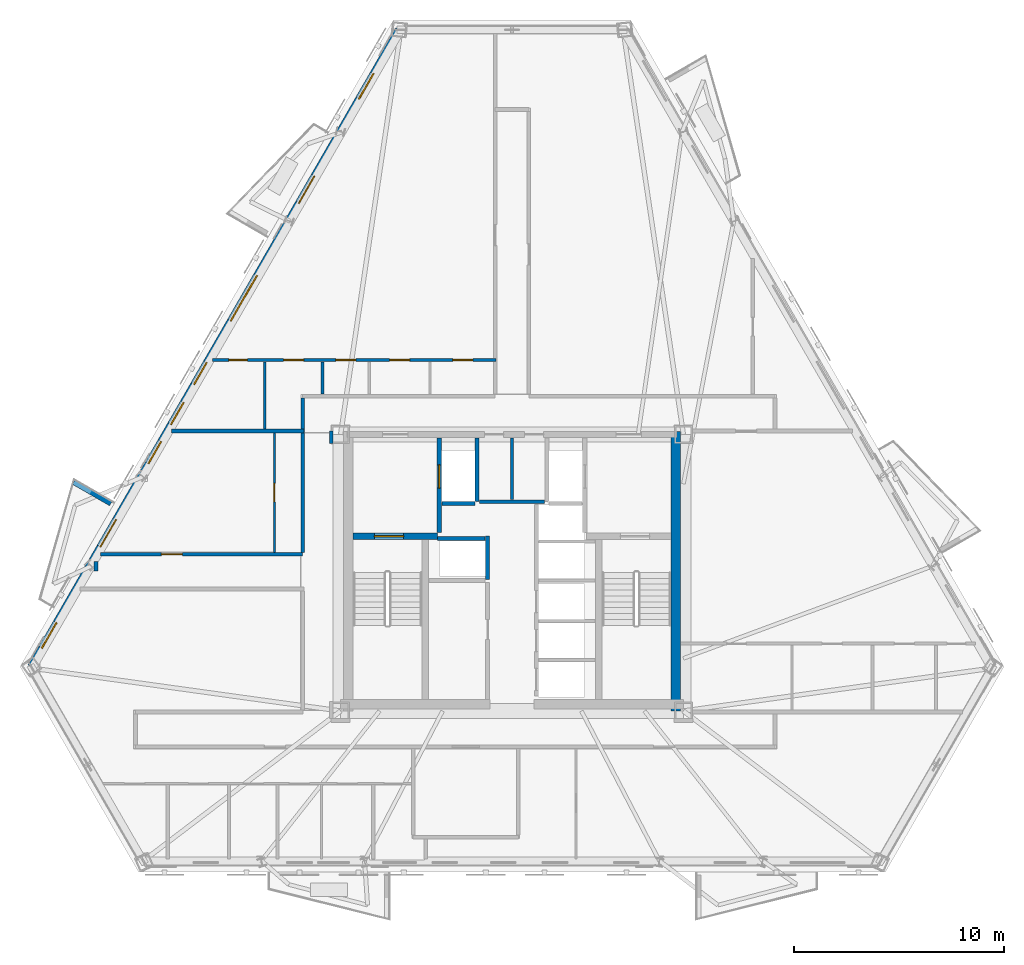
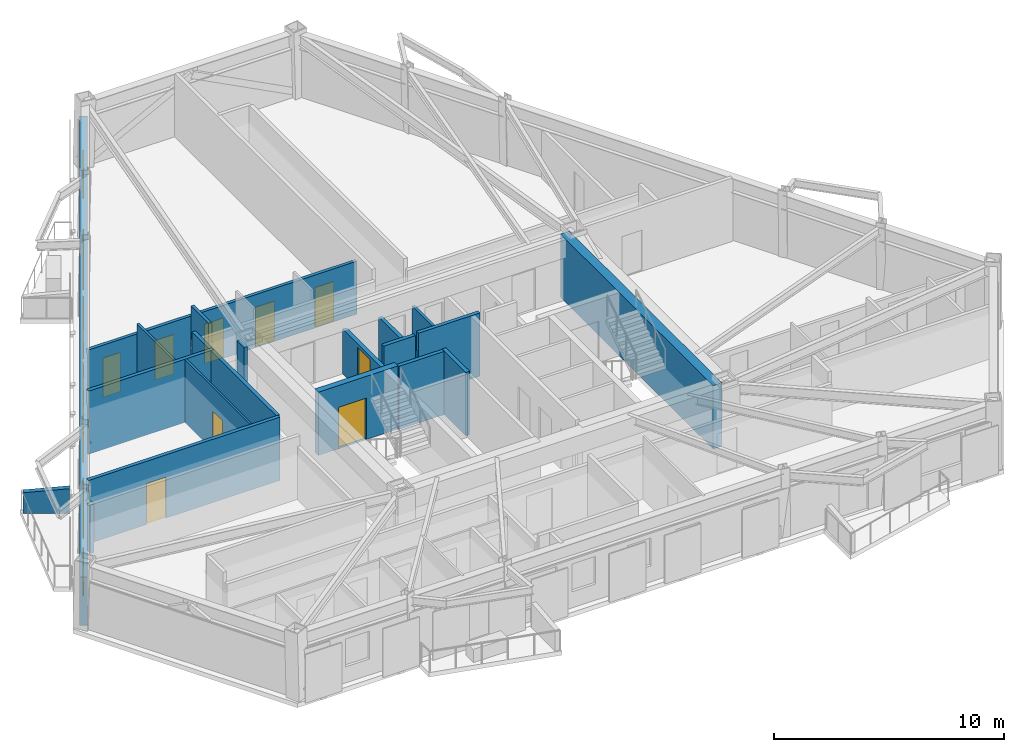
# One storey, part 4 of 9: 20 walls, 11 doors, 6 windows, 17 openings.
"""IFC4 building model written with IfcOpenShell, lengths in metres."""

from ifc_helpers import new_model, si_unit, direction, frame, frame_2d, origin, place, context, subcontext, project, spatial, polyline, rectangle, outline, extrude, material, layer, layer_set, type_object, element, fill, save


model = new_model("IFC4")

# Units and contexts
model_context = context("Model", 3, precision=1e-05, world=origin(), true_north=direction((0.0, 1.0)))
body_context = subcontext(model_context, "Body", "Model", "MODEL_VIEW")
ifc_project = project(units=[si_unit("LENGTHUNIT", "METRE"), si_unit("AREAUNIT", "SQUARE_METRE"), si_unit("VOLUMEUNIT", "CUBIC_METRE"), si_unit("PLANEANGLEUNIT", "RADIAN"), si_unit("MASSUNIT", "GRAM", prefix="KILO")], contexts=[model_context])

# Site, building, storey
site_placement = place(None, origin())
site = spatial("IfcSite", under=ifc_project, at=site_placement, CompositionType="ELEMENT")
building_placement = place(site_placement, origin())
building = spatial("IfcBuilding", under=site, at=building_placement, Name="Oramaril Tower", CompositionType="ELEMENT")
storey_placement = place(building_placement, frame((0.0, 0.0, 123.0)))
storey = spatial("IfcBuildingStorey", under=building, at=storey_placement, Name="L32", CompositionType="ELEMENT", Elevation=123.0)

# Wall, openings, doors, windows
ifc_material_1 = material(Name="Warm Cream Limestone", Category="masonry")
ifc_layer_1 = layer(ifc_material_1, 0.340087890625)
ifc_layer_set_1 = layer_set([ifc_layer_1], Name="WT-EXT34")
wall_type_1 = type_object("IfcWallType", Name="WT-EXT34", PredefinedType="SOLIDWALL", material=ifc_layer_set_1)
wall_1_placement = place(storey_placement, frame((32.124267578125, 43.39697265625, 0.0), z_axis=(0.0, 0.0, 1.0), x_axis=(-0.499996370967, -0.866027498997, 0.0)))
wall_1 = element("IfcWall", 1, at=wall_1_placement, inside=storey, type_object=wall_type_1, Name="L32 Tower Limestone Facade Wall 6M", PredefinedType="SOLIDWALL", context=body_context, shape_type="SweptSolid", body=[
    extrude(rectangle(XDim=34.975830078125, YDim=0.340087890625, at=frame_2d((17.48779296875, 0.0))), origin(), (0.0, 0.0, 1.0), 2.577880859375),
])
opening_1_placement = place(wall_1_placement, frame((8.034423828125, 0.0, 0.0)))
opening_1 = element("IfcOpeningElement", 2, at=opening_1_placement, cuts=wall_1, Name="Opening D-L32-BAL-NW1", PredefinedType="OPENING", context=body_context, shape_type="SweptSolid", body=[
    extrude(rectangle(XDim=1.5, YDim=2.199951171875, at=frame_2d((0.75, 1.10009765625))), frame((0.0, 0.169921875, 0.0), z_axis=(0.0, -1.0, 0.0), x_axis=(1.0, 0.0, 0.0)), (0.0, 0.0, 1.0), 0.340087890625),
])
opening_2_placement = place(wall_1_placement, frame((26.896240234375, 0.0, 0.0)))
opening_2 = element("IfcOpeningElement", 3, at=opening_2_placement, cuts=wall_1, Name="Opening D-L32-BAL-NW2", PredefinedType="OPENING", context=body_context, shape_type="SweptSolid", body=[
    extrude(rectangle(XDim=1.5, YDim=2.199951171875, at=frame_2d((0.75, 1.10009765625))), frame((0.0, 0.169921875, 0.0), z_axis=(0.0, -1.0, 0.0), x_axis=(1.0, 0.0, 0.0)), (0.0, 0.0, 1.0), 0.340087890625),
])
opening_3_placement = place(wall_1_placement, frame((32.5615234375, 0.0, 0.85009765625)))
opening_3 = element("IfcOpeningElement", 4, at=opening_3_placement, cuts=wall_1, Name="Opening WN-08", PredefinedType="OPENING", context=body_context, shape_type="SweptSolid", body=[
    extrude(rectangle(XDim=1.39990234375, YDim=1.60009765625, at=frame_2d((0.699951171875, 0.800048828125))), frame((0.0, 0.169921875, 0.0), z_axis=(0.0, -1.0, 0.0), x_axis=(1.0, 0.0, 0.0)), (0.0, 0.0, 1.0), 0.340087890625),
])
opening_4_placement = place(wall_1_placement, frame((22.614013671875, 0.0, 0.85009765625)))
opening_4 = element("IfcOpeningElement", 5, at=opening_4_placement, cuts=wall_1, Name="Opening WN-09", PredefinedType="OPENING", context=body_context, shape_type="SweptSolid", body=[
    extrude(rectangle(XDim=1.199951171875, YDim=1.47998046875, at=frame_2d((0.60009765625, 0.739990234375))), frame((0.0, 0.169921875, 0.0), z_axis=(0.0, -1.0, 0.0), x_axis=(1.0, 0.0, 0.0)), (0.0, 0.0, 1.0), 0.340087890625),
])
opening_5_placement = place(wall_1_placement, frame((2.415283203125, 0.0, 0.85009765625)))
opening_5 = element("IfcOpeningElement", 6, at=opening_5_placement, cuts=wall_1, Name="Opening WN-08", PredefinedType="OPENING", context=body_context, shape_type="SweptSolid", body=[
    extrude(rectangle(XDim=1.39990234375, YDim=1.60009765625, at=frame_2d((0.699951171875, 0.800048828125))), frame((0.0, 0.169921875, 0.0), z_axis=(0.0, -1.0, 0.0), x_axis=(1.0, 0.0, 0.0)), (0.0, 0.0, 1.0), 0.340087890625),
])
opening_6_placement = place(wall_1_placement, frame((13.4921875, 0.0, 0.85009765625)))
opening_6 = element("IfcOpeningElement", 7, at=opening_6_placement, cuts=wall_1, Name="Opening WN-11", PredefinedType="OPENING", context=body_context, shape_type="SweptSolid", body=[
    extrude(rectangle(XDim=2.5, YDim=1.617919921875, at=frame_2d((1.25, 0.80908203125))), frame((0.0, 0.169921875, 0.0), z_axis=(0.0, -1.0, 0.0), x_axis=(1.0, 0.0, 0.0)), (0.0, 0.0, 1.0), 0.340087890625),
])
opening_7_placement = place(wall_1_placement, frame((18.281005859375, 0.0, 0.85009765625)))
opening_7 = element("IfcOpeningElement", 8, at=opening_7_placement, cuts=wall_1, Name="Opening WN-09", PredefinedType="OPENING", context=body_context, shape_type="SweptSolid", body=[
    extrude(rectangle(XDim=1.199951171875, YDim=1.47998046875, at=frame_2d((0.60009765625, 0.739990234375))), frame((0.0, 0.169921875, 0.0), z_axis=(0.0, -1.0, 0.0), x_axis=(1.0, 0.0, 0.0)), (0.0, 0.0, 1.0), 0.340087890625),
])
opening_8_placement = place(wall_1_placement, frame((20.476318359375, 0.0, 0.85009765625)))
opening_8 = element("IfcOpeningElement", 9, at=opening_8_placement, cuts=wall_1, Name="Opening WN-09", PredefinedType="OPENING", context=body_context, shape_type="SweptSolid", body=[
    extrude(rectangle(XDim=1.199951171875, YDim=1.47998046875, at=frame_2d((0.60009765625, 0.739990234375))), frame((0.0, 0.169921875, 0.0), z_axis=(0.0, -1.0, 0.0), x_axis=(1.0, 0.0, 0.0)), (0.0, 0.0, 1.0), 0.340087890625),
])
ifc_material_2 = material(Name="Anodised Aluminium 6063-T6", Category="aluminium")
door_type_1 = type_object("IfcDoorType", Name="DT-BAL", OperationType="NOTDEFINED", PredefinedType="DOOR", material=ifc_material_2)
door_1_placement = place(opening_1_placement, origin())
door_1 = element("IfcDoor", 10, at=door_1_placement, inside=storey, type_object=door_type_1, Name="L32 Balcony Glazed Door L32-BAL-NW1", OperationType="SINGLE_SWING_LEFT", OverallHeight=2.199951171875, OverallWidth=1.5, PredefinedType="DOOR", context=body_context, shape_type="SweptSolid", body=[
    extrude(rectangle(XDim=1.5, YDim=2.199951171875, at=frame_2d((0.75, 1.10009765625))), frame((0.0, 0.02490234375, 0.0), z_axis=(0.0, -1.0, 0.0), x_axis=(1.0, 0.0, 0.0)), (0.0, 0.0, 1.0), 0.050048828125),
])
fill(opening_1, door_1)
door_2_placement = place(opening_2_placement, origin())
door_2 = element("IfcDoor", 11, at=door_2_placement, inside=storey, type_object=door_type_1, Name="L32 Balcony Glazed Door L32-BAL-NW2", OperationType="SINGLE_SWING_RIGHT", OverallHeight=2.199951171875, OverallWidth=1.5, PredefinedType="DOOR", context=body_context, shape_type="SweptSolid", body=[
    extrude(rectangle(XDim=1.5, YDim=2.199951171875, at=frame_2d((0.75, 1.10009765625))), frame((0.0, 0.02490234375, 0.0), z_axis=(0.0, -1.0, 0.0), x_axis=(1.0, 0.0, 0.0)), (0.0, 0.0, 1.0), 0.050048828125),
])
fill(opening_2, door_2)
ifc_material_3 = material(Name="Coastal Low-E Insulated Glass", Category="glass")
window_type_1 = type_object("IfcWindowType", Name="WNT-08", PartitioningType="SINGLE_PANEL", PredefinedType="WINDOW", material=ifc_material_3)
window_1_placement = place(opening_3_placement, origin())
window_1 = element("IfcWindow", 12, at=window_1_placement, inside=storey, type_object=window_type_1, Name="L32 Chicago Bay Window WN-08", OverallHeight=1.60009765625, OverallWidth=1.39990234375, PartitioningType="SINGLE_PANEL", PredefinedType="WINDOW", context=body_context, shape_type="SweptSolid", body=[
    extrude(rectangle(XDim=1.39990234375, YDim=1.60009765625, at=frame_2d((0.699951171875, 0.800048828125))), frame((0.0, 0.030029296875, 0.0), z_axis=(0.0, -1.0, 0.0), x_axis=(1.0, 0.0, 0.0)), (0.0, 0.0, 1.0), 0.06005859375),
])
fill(opening_3, window_1)
window_2_placement = place(opening_5_placement, origin())
window_2 = element("IfcWindow", 13, at=window_2_placement, inside=storey, type_object=window_type_1, Name="L32 Chicago Bay Window WN-08", OverallHeight=1.60009765625, OverallWidth=1.39990234375, PartitioningType="SINGLE_PANEL", PredefinedType="WINDOW", context=body_context, shape_type="SweptSolid", body=[
    extrude(rectangle(XDim=1.39990234375, YDim=1.60009765625, at=frame_2d((0.699951171875, 0.800048828125))), frame((0.0, 0.030029296875, 0.0), z_axis=(0.0, -1.0, 0.0), x_axis=(1.0, 0.0, 0.0)), (0.0, 0.0, 1.0), 0.06005859375),
])
fill(opening_5, window_2)
ifc_material_4 = material(Name="Coastal Low-E Insulated Glass", Category="glass")
window_type_2 = type_object("IfcWindowType", Name="WNT-09", PartitioningType="SINGLE_PANEL", PredefinedType="WINDOW", material=ifc_material_4)
window_3_placement = place(opening_4_placement, origin())
window_3 = element("IfcWindow", 14, at=window_3_placement, inside=storey, type_object=window_type_2, Name="L32 Chicago Bay Window WN-09", OverallHeight=1.47998046875, OverallWidth=1.199951171875, PartitioningType="SINGLE_PANEL", PredefinedType="WINDOW", context=body_context, shape_type="SweptSolid", body=[
    extrude(rectangle(XDim=1.199951171875, YDim=1.47998046875, at=frame_2d((0.60009765625, 0.739990234375))), frame((0.0, 0.030029296875, 0.0), z_axis=(0.0, -1.0, 0.0), x_axis=(1.0, 0.0, 0.0)), (0.0, 0.0, 1.0), 0.06005859375),
])
fill(opening_4, window_3)
window_4_placement = place(opening_7_placement, origin())
window_4 = element("IfcWindow", 15, at=window_4_placement, inside=storey, type_object=window_type_2, Name="L32 Chicago Bay Window WN-09", OverallHeight=1.47998046875, OverallWidth=1.199951171875, PartitioningType="SINGLE_PANEL", PredefinedType="WINDOW", context=body_context, shape_type="SweptSolid", body=[
    extrude(rectangle(XDim=1.199951171875, YDim=1.47998046875, at=frame_2d((0.60009765625, 0.739990234375))), frame((0.0, 0.030029296875, 0.0), z_axis=(0.0, -1.0, 0.0), x_axis=(1.0, 0.0, 0.0)), (0.0, 0.0, 1.0), 0.06005859375),
])
fill(opening_7, window_4)
window_5_placement = place(opening_8_placement, origin())
window_5 = element("IfcWindow", 16, at=window_5_placement, inside=storey, type_object=window_type_2, Name="L32 Chicago Bay Window WN-09", OverallHeight=1.47998046875, OverallWidth=1.199951171875, PartitioningType="SINGLE_PANEL", PredefinedType="WINDOW", context=body_context, shape_type="SweptSolid", body=[
    extrude(rectangle(XDim=1.199951171875, YDim=1.47998046875, at=frame_2d((0.60009765625, 0.739990234375))), frame((0.0, 0.030029296875, 0.0), z_axis=(0.0, -1.0, 0.0), x_axis=(1.0, 0.0, 0.0)), (0.0, 0.0, 1.0), 0.06005859375),
])
fill(opening_8, window_5)
ifc_material_5 = material(Name="Coastal Low-E Insulated Glass", Category="glass")
window_type_3 = type_object("IfcWindowType", Name="WNT-11", PartitioningType="SINGLE_PANEL", PredefinedType="WINDOW", material=ifc_material_5)
window_6_placement = place(opening_6_placement, origin())
window_6 = element("IfcWindow", 17, at=window_6_placement, inside=storey, type_object=window_type_3, Name="L32 Chicago Bay Window WN-11", OverallHeight=1.617919921875, OverallWidth=2.5, PartitioningType="SINGLE_PANEL", PredefinedType="WINDOW", context=body_context, shape_type="SweptSolid", body=[
    extrude(rectangle(XDim=2.5, YDim=1.617919921875, at=frame_2d((1.25, 0.80908203125))), frame((0.0, 0.030029296875, 0.0), z_axis=(0.0, -1.0, 0.0), x_axis=(1.0, 0.0, 0.0)), (0.0, 0.0, 1.0), 0.06005859375),
])
fill(opening_6, window_6)

# Wall
ifc_material_6 = material(Name="Concrete C40/50", Category="concrete")
ifc_layer_2 = layer(ifc_material_6, 0.22998046875)
ifc_layer_set_2 = layer_set([ifc_layer_2], Name="WT-PRP23")
wall_type_2 = type_object("IfcWallType", Name="WT-PRP23", PredefinedType="PARAPET", material=ifc_layer_set_2)
wall_2_placement = place(storey_placement, frame((18.4208984375, 20.857666015625, 0.0), z_axis=(0.0, 0.0, 1.0), x_axis=(-0.866042246008, 0.499970827278, 0.0)))
element("IfcWall", 18, at=wall_2_placement, inside=storey, type_object=wall_type_2, Name="L32 Trapezoidal Balcony Frame Cheek L32-BAL-NW2-L", PredefinedType="PARAPET", context=body_context, shape_type="SweptSolid", body=[
    extrude(outline(polyline([(0.0, 0.0), (2.0419921875, 0.0), (2.0419921875, 1.10009765625), (0.0, 1.320068359375), (0.0, 0.0)])), frame((0.0, 0.114990234375, 0.0), z_axis=(0.0, -1.0, 0.0), x_axis=(1.0, 0.0, 0.0)), (0.0, 0.0, 1.0), 0.22998046875),
])

# Wall, opening, door
ifc_material_7 = material(Name="Acoustic Gypsum Board Partition")
ifc_layer_3 = layer(ifc_material_7, 0.10009765625)
ifc_layer_set_3 = layer_set([ifc_layer_3], Name="WT-PT10")
wall_type_3 = type_object("IfcWallType", Name="WT-PT10", PredefinedType="PARTITIONING", material=ifc_layer_set_3)
wall_3_placement = place(storey_placement, frame((26.199951171875, 18.5439453125, 0.0), z_axis=(0.0, 0.0, 1.0), x_axis=(0.0, 1.0, 0.0)))
wall_3 = element("IfcWall", 19, at=wall_3_placement, inside=storey, type_object=wall_type_3, Name="L32 Interior Partition PT-10", PredefinedType="PARTITIONING", context=body_context, shape_type="SweptSolid", body=[
    extrude(rectangle(XDim=5.68212890625, YDim=0.10009765625, at=frame_2d((2.841064453125, 0.0))), origin(), (0.0, 0.0, 1.0), 3.360107421875),
])
opening_9_placement = place(wall_3_placement, frame((2.40087890625, 0.0, 0.0)))
opening_9 = element("IfcOpeningElement", 20, at=opening_9_placement, cuts=wall_3, Name="Opening D-L32-21", PredefinedType="OPENING", context=body_context, shape_type="SweptSolid", body=[
    extrude(rectangle(XDim=0.8798828125, YDim=2.080078125, at=frame_2d((0.43994140625, 1.0400390625))), frame((0.0, 0.050048828125, 0.0), z_axis=(0.0, -1.0, 0.0), x_axis=(1.0, 0.0, 0.0)), (0.0, 0.0, 1.0), 0.10009765625),
])
ifc_material_8 = material(Name="FSC Brazilian Freijo Hardwood", Category="wood")
door_type_2 = type_object("IfcDoorType", Name="DT-BATH", OperationType="NOTDEFINED", PredefinedType="DOOR", material=ifc_material_8)
door_3_placement = place(opening_9_placement, origin())
door_3 = element("IfcDoor", 21, at=door_3_placement, inside=storey, type_object=door_type_2, Name="L32 Flat L32-U3 Bathroom Door D-L32-21", OperationType="SINGLE_SWING_LEFT", OverallHeight=2.080078125, OverallWidth=0.8798828125, PredefinedType="DOOR", context=body_context, shape_type="SweptSolid", body=[
    extrude(rectangle(XDim=0.8798828125, YDim=2.080078125, at=frame_2d((0.43994140625, 1.0400390625))), frame((0.0, 0.02490234375, 0.0), z_axis=(0.0, -1.0, 0.0), x_axis=(1.0, 0.0, 0.0)), (0.0, 0.0, 1.0), 0.050048828125),
])
fill(opening_9, door_3)

# Walls
ifc_material_9 = material(Name="Acoustic Gypsum Board Partition")
ifc_layer_4 = layer(ifc_material_9, 0.1201171875)
ifc_layer_set_4 = layer_set([ifc_layer_4], Name="WT-PT12")
wall_type_4 = type_object("IfcWallType", Name="WT-PT12", PredefinedType="PARTITIONING", material=ifc_layer_set_4)
wall_4_placement = place(storey_placement, frame((25.75, 24.4140625, 0.0), z_axis=(0.0, 0.0, 1.0), x_axis=(0.0, 1.0, 0.0)))
element("IfcWall", 22, at=wall_4_placement, inside=storey, type_object=wall_type_4, Name="L32 Interior Partition PT-12", PredefinedType="PARTITIONING", context=body_context, shape_type="SweptSolid", body=[
    extrude(rectangle(XDim=3.19189453125, YDim=0.1201171875, at=frame_2d((1.595947265625, 0.0))), origin(), (0.0, 0.0, 1.0), 3.360107421875),
])
ifc_material_10 = material(Name="Acoustic Gypsum Board Partition")
ifc_layer_5 = layer(ifc_material_10, 0.139892578125)
ifc_layer_set_5 = layer_set([ifc_layer_5], Name="WT-PT14")
wall_type_5 = type_object("IfcWallType", Name="WT-PT14", PredefinedType="PARTITIONING", material=ifc_layer_set_5)
wall_5_placement = place(storey_placement, frame((37.5, 21.06005859375, 0.0), z_axis=(0.0, 0.0, 1.0), x_axis=(0.0, 1.0, 0.0)))
element("IfcWall", 23, at=wall_5_placement, inside=storey, type_object=wall_type_5, Name="L32 Core Service Divider", PredefinedType="PARTITIONING", context=body_context, shape_type="SweptSolid", body=[
    extrude(rectangle(XDim=2.919921875, YDim=0.139892578125, at=frame_2d((1.4599609375, 0.0))), origin(), (0.0, 0.0, 1.0), 2.39990234375),
])

# Wall, openings, doors
ifc_material_11 = material(Name="Acoustic Gypsum Board Partition")
ifc_layer_6 = layer(ifc_material_11, 0.159912109375)
ifc_layer_set_6 = layer_set([ifc_layer_6], Name="WT-PT16")
wall_type_6 = type_object("IfcWallType", Name="WT-PT16", PredefinedType="PARTITIONING", material=ifc_layer_set_6)
wall_6_placement = place(storey_placement, frame((23.2568359375, 27.68994140625, 0.0), z_axis=(0.0, 0.0, 1.0), x_axis=(1.0, 0.0, 0.0)))
wall_6 = element("IfcWall", 24, at=wall_6_placement, inside=storey, type_object=wall_type_6, Name="L32 Interior Partition PT-16", PredefinedType="PARTITIONING", context=body_context, shape_type="SweptSolid", body=[
    extrude(rectangle(XDim=13.4931640625, YDim=0.159912109375, at=frame_2d((6.74658203125, 0.0))), origin(), (0.0, 0.0, 1.0), 2.81396484375),
])
opening_10_placement = place(wall_6_placement, frame((0.77734375, 0.0, 0.0)))
opening_10 = element("IfcOpeningElement", 25, at=opening_10_placement, cuts=wall_6, Name="Opening D-L32-16", PredefinedType="OPENING", context=body_context, shape_type="SweptSolid", body=[
    extrude(rectangle(XDim=0.8798828125, YDim=2.080078125, at=frame_2d((0.43994140625, 1.0400390625))), frame((0.0, 0.080078125, 0.0), z_axis=(0.0, -1.0, 0.0), x_axis=(1.0, 0.0, 0.0)), (0.0, 0.0, 1.0), 0.159912109375),
])
opening_11_placement = place(wall_6_placement, frame((3.387451171875, 0.0, 0.0)))
opening_11 = element("IfcOpeningElement", 26, at=opening_11_placement, cuts=wall_6, Name="Opening D-L32-17", PredefinedType="OPENING", context=body_context, shape_type="SweptSolid", body=[
    extrude(rectangle(XDim=0.949951171875, YDim=2.10009765625, at=frame_2d((0.47509765625, 1.050048828125))), frame((0.0, 0.080078125, 0.0), z_axis=(0.0, -1.0, 0.0), x_axis=(1.0, 0.0, 0.0)), (0.0, 0.0, 1.0), 0.159912109375),
])
opening_12_placement = place(wall_6_placement, frame((5.8701171875, 0.0, 0.0)))
opening_12 = element("IfcOpeningElement", 27, at=opening_12_placement, cuts=wall_6, Name="Opening D-L32-18", PredefinedType="OPENING", context=body_context, shape_type="SweptSolid", body=[
    extrude(rectangle(XDim=0.949951171875, YDim=2.10009765625, at=frame_2d((0.47509765625, 1.050048828125))), frame((0.0, 0.080078125, 0.0), z_axis=(0.0, -1.0, 0.0), x_axis=(1.0, 0.0, 0.0)), (0.0, 0.0, 1.0), 0.159912109375),
])
opening_13_placement = place(wall_6_placement, frame((8.424560546875, 0.0, 0.0)))
opening_13 = element("IfcOpeningElement", 28, at=opening_13_placement, cuts=wall_6, Name="Opening D-L32-19", PredefinedType="OPENING", context=body_context, shape_type="SweptSolid", body=[
    extrude(rectangle(XDim=0.949951171875, YDim=2.10009765625, at=frame_2d((0.47509765625, 1.050048828125))), frame((0.0, 0.080078125, 0.0), z_axis=(0.0, -1.0, 0.0), x_axis=(1.0, 0.0, 0.0)), (0.0, 0.0, 1.0), 0.159912109375),
])
opening_14_placement = place(wall_6_placement, frame((11.432373046875, 0.0, 0.0)))
opening_14 = element("IfcOpeningElement", 29, at=opening_14_placement, cuts=wall_6, Name="Opening D-L32-20", PredefinedType="OPENING", context=body_context, shape_type="SweptSolid", body=[
    extrude(rectangle(XDim=0.949951171875, YDim=2.10009765625, at=frame_2d((0.47509765625, 1.050048828125))), frame((0.0, 0.080078125, 0.0), z_axis=(0.0, -1.0, 0.0), x_axis=(1.0, 0.0, 0.0)), (0.0, 0.0, 1.0), 0.159912109375),
])
door_4_placement = place(opening_10_placement, origin())
door_4 = element("IfcDoor", 30, at=door_4_placement, inside=storey, type_object=door_type_2, Name="L32 Flat L32-U5 Bathroom Door D-L32-16", OperationType="SINGLE_SWING_RIGHT", OverallHeight=2.080078125, OverallWidth=0.8798828125, PredefinedType="DOOR", context=body_context, shape_type="SweptSolid", body=[
    extrude(rectangle(XDim=0.8798828125, YDim=2.080078125, at=frame_2d((0.43994140625, 1.0400390625))), frame((0.0, 0.02490234375, 0.0), z_axis=(0.0, -1.0, 0.0), x_axis=(1.0, 0.0, 0.0)), (0.0, 0.0, 1.0), 0.050048828125),
])
fill(opening_10, door_4)
ifc_material_12 = material(Name="FSC Brazilian Freijo Hardwood", Category="wood")
door_type_3 = type_object("IfcDoorType", Name="DT-STDY", OperationType="NOTDEFINED", PredefinedType="DOOR", material=ifc_material_12)
door_5_placement = place(opening_11_placement, origin())
door_5 = element("IfcDoor", 31, at=door_5_placement, inside=storey, type_object=door_type_3, Name="L32 Flat L32-U5 Kitchen Door D-L32-17", OperationType="SINGLE_SWING_LEFT", OverallHeight=2.10009765625, OverallWidth=0.949951171875, PredefinedType="DOOR", context=body_context, shape_type="SweptSolid", body=[
    extrude(rectangle(XDim=0.949951171875, YDim=2.10009765625, at=frame_2d((0.47509765625, 1.050048828125))), frame((0.0, 0.02490234375, 0.0), z_axis=(0.0, -1.0, 0.0), x_axis=(1.0, 0.0, 0.0)), (0.0, 0.0, 1.0), 0.050048828125),
])
fill(opening_11, door_5)
door_6_placement = place(opening_12_placement, origin())
door_6 = element("IfcDoor", 32, at=door_6_placement, inside=storey, type_object=door_type_3, Name="L32 Flat L32-U5 Dining Alcove Door D-L32-18", OperationType="SINGLE_SWING_RIGHT", OverallHeight=2.10009765625, OverallWidth=0.949951171875, PredefinedType="DOOR", context=body_context, shape_type="SweptSolid", body=[
    extrude(rectangle(XDim=0.949951171875, YDim=2.10009765625, at=frame_2d((0.47509765625, 1.050048828125))), frame((0.0, 0.02490234375, 0.0), z_axis=(0.0, -1.0, 0.0), x_axis=(1.0, 0.0, 0.0)), (0.0, 0.0, 1.0), 0.050048828125),
])
fill(opening_12, door_6)
door_7_placement = place(opening_13_placement, origin())
door_7 = element("IfcDoor", 33, at=door_7_placement, inside=storey, type_object=door_type_3, Name="L32 Flat L32-U5 Breakfast Dining Room Door D-L32-19", OperationType="SINGLE_SWING_LEFT", OverallHeight=2.10009765625, OverallWidth=0.949951171875, PredefinedType="DOOR", context=body_context, shape_type="SweptSolid", body=[
    extrude(rectangle(XDim=0.949951171875, YDim=2.10009765625, at=frame_2d((0.47509765625, 1.050048828125))), frame((0.0, 0.02490234375, 0.0), z_axis=(0.0, -1.0, 0.0), x_axis=(1.0, 0.0, 0.0)), (0.0, 0.0, 1.0), 0.050048828125),
])
fill(opening_13, door_7)
door_8_placement = place(opening_14_placement, origin())
door_8 = element("IfcDoor", 34, at=door_8_placement, inside=storey, type_object=door_type_3, Name="L32 Flat L32-U5 Breakfast Dining Room Door D-L32-20", OperationType="SINGLE_SWING_RIGHT", OverallHeight=2.10009765625, OverallWidth=0.949951171875, PredefinedType="DOOR", context=body_context, shape_type="SweptSolid", body=[
    extrude(rectangle(XDim=0.949951171875, YDim=2.10009765625, at=frame_2d((0.47509765625, 1.050048828125))), frame((0.0, 0.02490234375, 0.0), z_axis=(0.0, -1.0, 0.0), x_axis=(1.0, 0.0, 0.0)), (0.0, 0.0, 1.0), 0.050048828125),
])
fill(opening_14, door_8)

# Walls
wall_7_placement = place(storey_placement, frame((28.489990234375, 26.06396484375, 0.0), z_axis=(0.0, 0.0, 1.0), x_axis=(0.0, 1.0, 0.0)))
element("IfcWall", 35, at=wall_7_placement, inside=storey, type_object=wall_type_6, Name="L32 Interior Partition PT-16", PredefinedType="PARTITIONING", context=body_context, shape_type="SweptSolid", body=[
    extrude(rectangle(XDim=1.5419921875, YDim=0.159912109375, at=frame_2d((0.77099609375, 0.0))), origin(), (0.0, 0.0, 1.0), 3.360107421875),
])
ifc_material_13 = material(Name="Autoclaved Cellular Concrete Block", Category="concrete")
ifc_layer_7 = layer(ifc_material_13, 0.179931640625)
ifc_layer_set_7 = layer_set([ifc_layer_7], Name="WT-PT18")
wall_type_7 = type_object("IfcWallType", Name="WT-PT18", PredefinedType="PARTITIONING", material=ifc_layer_set_7)
wall_8_placement = place(storey_placement, frame((35.840087890625, 20.9599609375, 0.0), z_axis=(0.0, 0.0, 1.0), x_axis=(0.0, 1.0, 0.0)))
element("IfcWall", 36, at=wall_8_placement, inside=storey, type_object=wall_type_7, Name="L32 FL-1 East Shaft Wall", PredefinedType="PARTITIONING", context=body_context, shape_type="SweptSolid", body=[
    extrude(rectangle(XDim=3.02001953125, YDim=0.179931640625, at=frame_2d((1.510009765625, 0.0))), origin(), (0.0, 0.0, 1.0), 2.39990234375),
])
wall_9_placement = place(storey_placement, frame((34.159912109375, 20.860107421875, 0.0), z_axis=(0.0, 0.0, 1.0), x_axis=(1.0, 0.0, 0.0)))
element("IfcWall", 37, at=wall_9_placement, inside=storey, type_object=wall_type_7, Name="L32 FL-1 South Shaft Wall", PredefinedType="PARTITIONING", context=body_context, shape_type="SweptSolid", body=[
    extrude(rectangle(XDim=1.580078125, YDim=0.179931640625, at=frame_2d((0.7900390625, 0.0))), origin(), (0.0, 0.0, 1.0), 3.360107421875),
])
wall_10_placement = place(storey_placement, frame((33.949951171875, 19.199951171875, 0.0), z_axis=(0.0, 0.0, 1.0), x_axis=(1.0, 0.0, 0.0)))
element("IfcWall", 38, at=wall_10_placement, inside=storey, type_object=wall_type_7, Name="L32 High-Rise Lift H1 North Shaft Wall", PredefinedType="PARTITIONING", context=body_context, shape_type="SweptSolid", body=[
    extrude(rectangle(XDim=2.27001953125, YDim=0.179931640625, at=frame_2d((1.135009765625, 0.0))), origin(), (0.0, 0.0, 1.0), 3.360107421875),
])
wall_11_placement = place(storey_placement, frame((35.949951171875, 20.949951171875, 0.0), z_axis=(0.0, 0.0, 1.0), x_axis=(1.0, 0.0, 0.0)))
element("IfcWall", 39, at=wall_11_placement, inside=storey, type_object=wall_type_7, Name="L32 Lift Lobby North Partition", PredefinedType="PARTITIONING", context=body_context, shape_type="SweptSolid", body=[
    extrude(rectangle(XDim=3.10009765625, YDim=0.179931640625, at=frame_2d((1.550048828125, 0.0))), origin(), (0.0, 0.0, 1.0), 3.360107421875),
])

# Wall, opening, door
wall_12_placement = place(storey_placement, frame((17.922119140625, 18.449951171875, 0.0), z_axis=(0.0, 0.0, 1.0), x_axis=(1.0, 0.0, 0.0)))
wall_12 = element("IfcWall", 40, at=wall_12_placement, inside=storey, type_object=wall_type_7, Name="L32 Interior Partition PT-18", PredefinedType="PARTITIONING", context=body_context, shape_type="SweptSolid", body=[
    extrude(rectangle(XDim=9.6279296875, YDim=0.179931640625, at=frame_2d((4.81396484375, 0.0))), origin(), (0.0, 0.0, 1.0), 3.360107421875),
])
opening_15_placement = place(wall_12_placement, frame((2.908203125, 0.0, 0.0)))
opening_15 = element("IfcOpeningElement", 41, at=opening_15_placement, cuts=wall_12, Name="Opening D-L32-14", PredefinedType="OPENING", context=body_context, shape_type="SweptSolid", body=[
    extrude(rectangle(XDim=1.0, YDim=2.179931640625, at=frame_2d((0.5, 1.08984375))), frame((0.0, 0.08984375, 0.0), z_axis=(0.0, -1.0, 0.0), x_axis=(1.0, 0.0, 0.0)), (0.0, 0.0, 1.0), 0.179931640625),
])
ifc_material_14 = material(Name="FSC Brazilian Freijo Hardwood", Category="wood")
door_type_4 = type_object("IfcDoorType", Name="DT-APT", OperationType="NOTDEFINED", PredefinedType="DOOR", material=ifc_material_14)
door_9_placement = place(opening_15_placement, origin())
door_9 = element("IfcDoor", 42, at=door_9_placement, inside=storey, type_object=door_type_4, Name="L32 Flat L32-U3 Kitchen and Studio Apartment Door D-L32-14", OperationType="SINGLE_SWING_RIGHT", OverallHeight=2.179931640625, OverallWidth=1.0, PredefinedType="DOOR", context=body_context, shape_type="SweptSolid", body=[
    extrude(rectangle(XDim=1.0, YDim=2.179931640625, at=frame_2d((0.5, 1.08984375))), frame((0.0, 0.02490234375, 0.0), z_axis=(0.0, -1.0, 0.0), x_axis=(1.0, 0.0, 0.0)), (0.0, 0.0, 1.0), 0.050048828125),
])
fill(opening_15, door_9)

# Walls
wall_13_placement = place(storey_placement, frame((21.311279296875, 24.320068359375, 0.0), z_axis=(0.0, 0.0, 1.0), x_axis=(1.0, 0.0, 0.0)))
element("IfcWall", 43, at=wall_13_placement, inside=storey, type_object=wall_type_7, Name="L32 Interior Partition PT-18", PredefinedType="PARTITIONING", context=body_context, shape_type="SweptSolid", body=[
    extrude(rectangle(XDim=6.298828125, YDim=0.179931640625, at=frame_2d((3.1494140625, 0.0))), origin(), (0.0, 0.0, 1.0), 3.360107421875),
])
wall_14_placement = place(storey_placement, frame((17.719970703125, 17.66748046875, 0.0), z_axis=(0.0, 0.0, 1.0), x_axis=(0.0, 1.0, 0.0)))
element("IfcWall", 44, at=wall_14_placement, inside=storey, type_object=wall_type_7, Name="L32 Interior Partition PT-18", PredefinedType="PARTITIONING", context=body_context, shape_type="SweptSolid", body=[
    extrude(rectangle(XDim=0.432373046875, YDim=0.179931640625, at=frame_2d((0.21630859375, 0.0))), origin(), (0.0, 0.0, 1.0), 2.577880859375),
])
wall_15_placement = place(storey_placement, frame((27.550048828125, 18.5439453125, 0.0), z_axis=(0.0, 0.0, 1.0), x_axis=(0.0, 1.0, 0.0)))
element("IfcWall", 45, at=wall_15_placement, inside=storey, type_object=wall_type_7, Name="L32 Interior Partition PT-18", PredefinedType="PARTITIONING", context=body_context, shape_type="SweptSolid", body=[
    extrude(rectangle(XDim=7.33203125, YDim=0.179931640625, at=frame_2d((3.666015625, 0.0))), origin(), (0.0, 0.0, 1.0), 3.360107421875),
])
wall_16_placement = place(storey_placement, frame((28.909912109375, 23.7099609375, 0.0), z_axis=(0.0, 0.0, 1.0), x_axis=(0.0, 1.0, 0.0)))
element("IfcWall", 46, at=wall_16_placement, inside=storey, type_object=wall_type_7, Name="L32 Interior Partition PT-18", PredefinedType="PARTITIONING", context=body_context, shape_type="SweptSolid", body=[
    extrude(rectangle(XDim=0.610107421875, YDim=0.179931640625, at=frame_2d((0.30517578125, 0.0))), origin(), (0.0, 0.0, 1.0), 3.360107421875),
])

# Wall, opening, door
ifc_material_15 = material(Name="Concrete C50/60", Category="concrete")
ifc_layer_8 = layer(ifc_material_15, 0.300048828125)
ifc_layer_set_8 = layer_set([ifc_layer_8], Name="WT-SH30")
wall_type_8 = type_object("IfcWallType", Name="WT-SH30", PredefinedType="SHEAR", material=ifc_layer_set_8)
wall_17_placement = place(storey_placement, frame((29.93994140625, 19.31005859375, 0.0), z_axis=(0.0, 0.0, 1.0), x_axis=(1.0, 0.0, 0.0)))
wall_17 = element("IfcWall", 47, at=wall_17_placement, inside=storey, type_object=wall_type_8, Name="L32 Core Shear Wall CW-ST1N", PredefinedType="SHEAR", context=body_context, shape_type="SweptSolid", body=[
    extrude(rectangle(XDim=4.010009765625, YDim=0.300048828125, at=frame_2d((2.0048828125, 0.0))), origin(), (0.0, 0.0, 1.0), 3.360107421875),
])
opening_16_placement = place(wall_17_placement, frame((1.010009765625, 0.0, 0.0)))
opening_16 = element("IfcOpeningElement", 48, at=opening_16_placement, cuts=wall_17, Name="Opening D-L32-ST1", PredefinedType="OPENING", context=body_context, shape_type="SweptSolid", body=[
    extrude(rectangle(XDim=1.39990234375, YDim=2.199951171875, at=frame_2d((0.699951171875, 1.10009765625))), frame((0.0, 0.14990234375, 0.0), z_axis=(0.0, -1.0, 0.0), x_axis=(1.0, 0.0, 0.0)), (0.0, 0.0, 1.0), 0.300048828125),
])
ifc_material_16 = material(Name="Painted Galvanised Steel", Category="steel")
door_type_5 = type_object("IfcDoorType", Name="DT-ST", OperationType="NOTDEFINED", PredefinedType="DOOR", material=ifc_material_16)
door_10_placement = place(opening_16_placement, origin())
door_10 = element("IfcDoor", 49, at=door_10_placement, inside=storey, type_object=door_type_5, Name="L32 Protected Stair ST-1 Fire Door", OperationType="SINGLE_SWING_LEFT", OverallHeight=2.199951171875, OverallWidth=1.39990234375, PredefinedType="DOOR", context=body_context, shape_type="SweptSolid", body=[
    extrude(rectangle(XDim=1.39990234375, YDim=2.199951171875, at=frame_2d((0.699951171875, 1.10009765625))), frame((0.0, 0.02490234375, 0.0), z_axis=(0.0, -1.0, 0.0), x_axis=(1.0, 0.0, 0.0)), (0.0, 0.0, 1.0), 0.050048828125),
])
fill(opening_16, door_10)

# Wall
ifc_material_17 = material(Name="Concrete C50/60", Category="concrete")
ifc_layer_9 = layer(ifc_material_17, 0.449951171875)
ifc_layer_set_9 = layer_set([ifc_layer_9], Name="WT-SH45")
wall_type_9 = type_object("IfcWallType", Name="WT-SH45", PredefinedType="SHEAR", material=ifc_layer_set_9)
wall_18_placement = place(storey_placement, frame((45.284912109375, 11.0, 0.0), z_axis=(0.0, 0.0, 1.0), x_axis=(0.0, 1.0, 0.0)))
element("IfcWall", 50, at=wall_18_placement, inside=storey, type_object=wall_type_9, Name="L32 Core Shear Wall CW-E", PredefinedType="SHEAR", context=body_context, shape_type="SweptSolid", body=[
    extrude(rectangle(XDim=13.300048828125, YDim=0.449951171875, at=frame_2d((6.64990234375, 0.0))), origin(), (0.0, 0.0, 1.0), 3.360107421875),
])

# Wall, opening, door
ifc_material_18 = material(Name="Autoclaved Cellular Concrete Block", Category="concrete")
ifc_layer_10 = layer(ifc_material_18, 0.199951171875)
ifc_layer_set_10 = layer_set([ifc_layer_10], Name="WT-SHF20")
wall_type_10 = type_object("IfcWallType", Name="WT-SHF20", PredefinedType="PARTITIONING", material=ifc_layer_set_10)
wall_19_placement = place(storey_placement, frame((34.0400390625, 19.47998046875, 0.0), z_axis=(0.0, 0.0, 1.0), x_axis=(0.0, 1.0, 0.0)))
wall_19 = element("IfcWall", 51, at=wall_19_placement, inside=storey, type_object=wall_type_10, Name="L32 FL-1 Lobby Shaft Wall", PredefinedType="PARTITIONING", context=body_context, shape_type="SweptSolid", body=[
    extrude(rectangle(XDim=4.5, YDim=0.199951171875, at=frame_2d((2.25, 0.0))), origin(), (0.0, 0.0, 1.0), 2.39990234375),
])
opening_17_placement = place(wall_19_placement, frame((2.1201171875, 0.0, 0.0)))
opening_17 = element("IfcOpeningElement", 52, at=opening_17_placement, cuts=wall_19, Name="Opening LD-L32-FL-1", PredefinedType="OPENING", context=body_context, shape_type="SweptSolid", body=[
    extrude(rectangle(XDim=1.10009765625, YDim=2.199951171875, at=frame_2d((0.550048828125, 1.10009765625))), frame((0.0, 0.10009765625, 0.0), z_axis=(0.0, -1.0, 0.0), x_axis=(1.0, 0.0, 0.0)), (0.0, 0.0, 1.0), 0.199951171875),
])
ifc_material_19 = material(Name="Stainless Steel 316L", Category="steel")
door_type_6 = type_object("IfcDoorType", Name="DT-LD1", OperationType="NOTDEFINED", PredefinedType="DOOR", material=ifc_material_19)
door_11_placement = place(opening_17_placement, origin())
door_11 = element("IfcDoor", 53, at=door_11_placement, inside=storey, type_object=door_type_6, Name="L32 Lift FL-1 Sliding Landing Door", OperationType="SLIDING_TO_LEFT", OverallHeight=2.199951171875, OverallWidth=1.10009765625, PredefinedType="DOOR", context=body_context, shape_type="SweptSolid", body=[
    extrude(rectangle(XDim=1.10009765625, YDim=2.199951171875, at=frame_2d((0.550048828125, 1.10009765625))), frame((0.0, 0.02490234375, 0.0), z_axis=(0.0, -1.0, 0.0), x_axis=(1.0, 0.0, 0.0)), (0.0, 0.0, 1.0), 0.050048828125),
])
fill(opening_17, door_11)

# Wall
wall_20_placement = place(storey_placement, frame((36.340087890625, 17.25, 0.0), z_axis=(0.0, 0.0, 1.0), x_axis=(0.0, 1.0, 0.0)))
element("IfcWall", 54, at=wall_20_placement, inside=storey, type_object=wall_type_10, Name="L32 High-Rise Lift H1 Front Wall", PredefinedType="PARTITIONING", context=body_context, shape_type="SweptSolid", body=[
    extrude(rectangle(XDim=2.070068359375, YDim=0.199951171875, at=frame_2d((1.03515625, 0.0))), origin(), (0.0, 0.0, 1.0), 3.360107421875),
])

save(model, "model.ifc")
